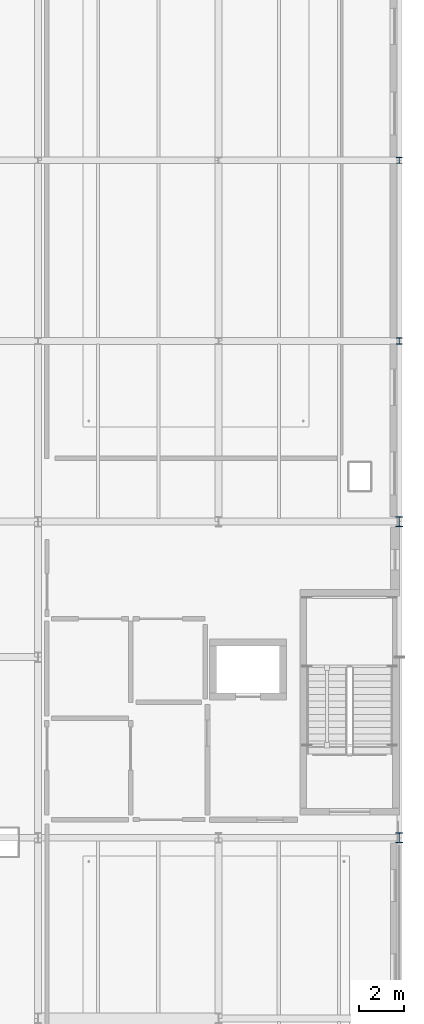
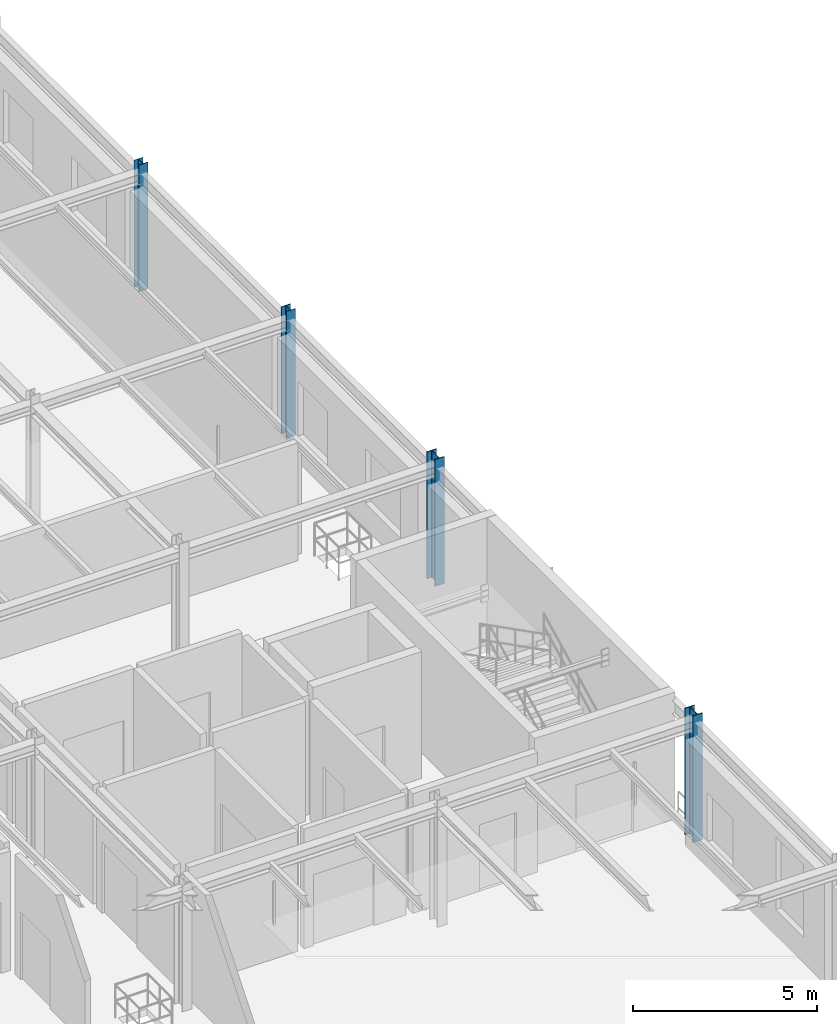
# One storey, part 16 of 124: 4 columns.
"""IFC4 building model written with IfcOpenShell, lengths in metres."""

import ifcopenshell
import ifcopenshell.guid

model = None  # the IFC model being written
_history = None  # IfcOwnerHistory: only IFC2X3 demands one
_inside = {}  # id of a spatial element -> (the spatial element, [elements in it])
_under = {}  # id of a project, library or spatial element -> (it, [spatial elements below it])
_declared = {}  # id of a project -> (the project, [libraries it declares])
_typed = {}  # id of a type object -> (the type object, [elements of that type])
_made_of = {}  # id of a material, layer set ... -> (it, [elements and type objects made of it])


def new_model(schema):
    """Start an empty IFC model of exactly this schema.

    Asked for "IFC4X3", IfcOpenShell would pick the latest addendum, in which some entities
    have other attributes; the version numbers below select the first issue.
    IFC2X3 requires an IfcOwnerHistory on every rooted entity: one is made here for all.
    """
    global model, _history
    if schema == "IFC4X3":
        model = ifcopenshell.file(schema_version=(4, 3, 0, 0))
    else:
        model = ifcopenshell.file(schema=schema)
    _inside.clear()
    _under.clear()
    _declared.clear()
    _typed.clear()
    _made_of.clear()
    _history = None
    if model.schema == "IFC2X3":
        org = make("IfcOrganization", Name="unknown")
        user = make(
            "IfcPersonAndOrganization",
            ThePerson=make("IfcPerson", FamilyName="unknown"),
            TheOrganization=org,
        )
        app = make(
            "IfcApplication",
            ApplicationDeveloper=org,
            Version="unknown",
            ApplicationFullName="unknown",
            ApplicationIdentifier="unknown",
        )
        _history = make(
            "IfcOwnerHistory",
            OwningUser=user,
            OwningApplication=app,
            ChangeAction="ADDED",
            CreationDate=0,
        )
    return model


def make(cls, **values):
    """One entity of the class cls with the attributes given. An attribute that is None is left unset."""
    return model.create_entity(
        cls, **{name: value for name, value in values.items() if value is not None}
    )


def rooted(cls, **values):
    """An entity with a GlobalId (a new one), such as an element, a storey or a relation."""
    return make(cls, GlobalId=ifcopenshell.guid.new(), OwnerHistory=_history, **values)


def si_unit(unit_type, name, prefix=None):
    """IfcSIUnit, for example si_unit("LENGTHUNIT", "METRE", prefix="MILLI")."""
    return make("IfcSIUnit", UnitType=unit_type, Prefix=prefix, Name=name)


def assignment(units):
    """IfcUnitAssignment: the units of a project."""
    return None if units is None else make("IfcUnitAssignment", Units=units)


def point(xyz):
    """IfcCartesianPoint."""
    return None if xyz is None else make("IfcCartesianPoint", Coordinates=xyz)


def direction(xyz):
    """IfcDirection."""
    return None if xyz is None else make("IfcDirection", DirectionRatios=xyz)


def frame(location, z_axis=None, x_axis=None):
    """IfcAxis2Placement3D, a coordinate frame: its origin and axes. An axis left out is left unset."""
    return make(
        "IfcAxis2Placement3D",
        Location=point(location),
        Axis=direction(z_axis),
        RefDirection=direction(x_axis),
    )


def frame_2d(location, x_axis=None):
    """IfcAxis2Placement2D, a coordinate frame in the plane: its origin and x axis."""
    return make(
        "IfcAxis2Placement2D", Location=point(location), RefDirection=direction(x_axis)
    )


def origin():
    """The frame at (0, 0, 0) with its axes left unset."""
    return frame((0.0, 0.0, 0.0))


def origin_2d():
    """The frame at (0, 0) in the plane with its x axis left unset."""
    return frame_2d((0.0, 0.0))


def place(relative_to, where):
    """IfcLocalPlacement: puts the frame where relative to a parent placement (None: the world)."""
    return make(
        "IfcLocalPlacement", PlacementRelTo=relative_to, RelativePlacement=where
    )


def context(
    kind, dimensions, precision=None, world=None, true_north=None, identifier=None
):
    """IfcGeometricRepresentationContext, for example the 3D "Model" context."""
    return make(
        "IfcGeometricRepresentationContext",
        ContextIdentifier=identifier,
        ContextType=kind,
        CoordinateSpaceDimension=dimensions,
        Precision=precision,
        WorldCoordinateSystem=world,
        TrueNorth=true_north,
    )


def subcontext(parent, identifier, kind, view, scale=None):
    """IfcGeometricRepresentationSubContext, for example "Body" below "Model"."""
    return make(
        "IfcGeometricRepresentationSubContext",
        ContextIdentifier=identifier,
        ContextType=kind,
        ParentContext=parent,
        TargetScale=scale,
        TargetView=view,
    )


def project(units=None, contexts=None):
    """IfcProject with its units and contexts."""
    return rooted(
        "IfcProject",
        Name="project",
        RepresentationContexts=contexts,
        UnitsInContext=assignment(units),
    )


def spatial(cls, under=None, at=None, **own):
    """A site, building, storey or space (cls), placed at a placement, below another one or the project."""
    s = rooted(cls, ObjectPlacement=at, **own)
    if under is not None:
        _under.setdefault(under.id(), (under, []))[1].append(s)
    return s


def profile(cls, at=None, kind="AREA", **sizes):
    """A parametric profile (cls). Its sizes go by their IFC names, for example OverallWidth=200.0."""
    return make(cls, ProfileType=kind, Position=at, **sizes)


def i_section(**sizes):
    """IfcIShapeProfileDef."""
    return profile("IfcIShapeProfileDef", **sizes)


def extrude(swept, where, along, depth):
    """IfcExtrudedAreaSolid: the profile swept, set in the frame where, extruded along a direction by depth."""
    return make(
        "IfcExtrudedAreaSolid",
        SweptArea=swept,
        Position=where,
        ExtrudedDirection=direction(along),
        Depth=depth,
    )


def shape(context_of_items, identifier, shape_type, items):
    """IfcShapeRepresentation: the items that make up one representation, for example the "Body"."""
    return make(
        "IfcShapeRepresentation",
        ContextOfItems=context_of_items,
        RepresentationIdentifier=identifier,
        RepresentationType=shape_type,
        Items=items,
    )


def material(Name=None, Category=None):
    """IfcMaterial."""
    return make("IfcMaterial", Name=Name, Category=Category)


def material_profile(
    of_material, cross_section, Name=None, Category=None, Priority=None
):
    """IfcMaterialProfile: a cross section and its material."""
    return make(
        "IfcMaterialProfile",
        Name=Name,
        Material=of_material,
        Profile=cross_section,
        Priority=Priority,
        Category=Category,
    )


def profile_set(profiles, Name=None, composite=None):
    """IfcMaterialProfileSet."""
    return make(
        "IfcMaterialProfileSet",
        Name=Name,
        MaterialProfiles=profiles,
        CompositeProfile=composite,
    )


def made_of(thing, what):
    """Note that an element or type object is made of a material, layer set ...; save() writes the relation."""
    if what is not None:
        _made_of.setdefault(what.id(), (what, []))[1].append(thing)
    return thing


def type_object(cls, material=None, **own):
    """A type object (cls), such as IfcWallType, which elements share."""
    return made_of(rooted(cls, **own), material)


def element(
    cls,
    number,
    at=None,
    inside=None,
    cuts=None,
    type_object=None,
    material=None,
    context=None,
    identifier="Body",
    shape_type=None,
    held_by="IfcProductDefinitionShape",
    body=None,
    shapes=None,
    **own,
):
    """One element of the class cls, such as IfcWall. Its Tag is "e" and its number.

    at: its placement. inside: the storey or other place that contains it. cuts: it is an
    opening in that element (IfcRelVoidsElement). A single representation is given by context,
    identifier, shape_type and body (its items); several are given by shapes. held_by: the class
    of the entity that holds the representations. save() writes the other relations.
    """
    e = rooted(cls, Tag="e%d" % number, ObjectPlacement=at, **own)
    if body is not None:
        shapes = [shape(context, identifier, shape_type, body)]
    if shapes is not None:
        e.Representation = make(held_by, Representations=shapes)
    if inside is not None:
        _inside.setdefault(inside.id(), (inside, []))[1].append(e)
    if cuts is not None:
        rooted(
            "IfcRelVoidsElement", RelatingBuildingElement=cuts, RelatedOpeningElement=e
        )
    if type_object is not None:
        _typed.setdefault(type_object.id(), (type_object, []))[1].append(e)
    return made_of(e, material)


def aggregate(whole, parts):
    """IfcRelAggregates: a whole, such as a stair, and the parts it consists of."""
    return rooted("IfcRelAggregates", RelatingObject=whole, RelatedObjects=parts)


def save(model, path):
    """Write the relations noted so far, then the file.

    IfcRelAggregates (storeys below a building ...), IfcRelContainedInSpatialStructure (elements
    in a storey), IfcRelDefinesByType, IfcRelAssociatesMaterial and IfcRelDeclares: one each for
    every whole, place, type object, material and project.
    """
    for whole, parts in _under.values():
        aggregate(whole, parts)
    for where, things in _inside.values():
        rooted(
            "IfcRelContainedInSpatialStructure",
            RelatedElements=things,
            RelatingStructure=where,
        )
    for kind, things in _typed.values():
        rooted("IfcRelDefinesByType", RelatedObjects=things, RelatingType=kind)
    for what, things in _made_of.values():
        rooted("IfcRelAssociatesMaterial", RelatedObjects=things, RelatingMaterial=what)
    for by, libraries in _declared.values():
        rooted("IfcRelDeclares", RelatingContext=by, RelatedDefinitions=libraries)
    model.write(path)


model = new_model("IFC4")

# Units and contexts
model_context = context("Model", 3, precision=1e-05, world=origin(), true_north=direction((0.0, 1.0)))
body_context = subcontext(model_context, "Body", "Model", "MODEL_VIEW")
ifc_project = project(units=[si_unit("LENGTHUNIT", "METRE"), si_unit("AREAUNIT", "SQUARE_METRE"), si_unit("VOLUMEUNIT", "CUBIC_METRE"), si_unit("PLANEANGLEUNIT", "RADIAN"), si_unit("MASSUNIT", "GRAM", prefix="KILO")], contexts=[model_context])

# Site, building, storey
site_placement = place(None, origin())
site = spatial("IfcSite", under=ifc_project, at=site_placement, CompositionType="ELEMENT")
building_placement = place(site_placement, origin())
building = spatial("IfcBuilding", under=site, at=building_placement, Name="Sundkrona Museum", CompositionType="ELEMENT")
storey_placement = place(building_placement, frame((0.0, 0.0, 17.60009765625)))
storey = spatial("IfcBuildingStorey", under=building, at=storey_placement, Name="L03", CompositionType="ELEMENT", Elevation=17.60009765625)

# Columns
ifc_material = material(Name="Steel S355J2", Category="steel")
ifc_material_profile_1 = material_profile(ifc_material, i_section(OverallWidth=0.280029296875, OverallDepth=0.280029296875, WebThickness=0.010498046875, FlangeThickness=0.01806640625, FilletRadius=0.02392578125, at=origin_2d()), Name="HEB 280")
ifc_profile_set_1 = profile_set([ifc_material_profile_1], Name="Steel S355J2")
column_type_1 = type_object("IfcColumnType", Name="C-HEB280", PredefinedType="COLUMN", material=ifc_profile_set_1)
for number, where, z_axis, x_axis, name in (
    (1, (168.0, 54.0, 0.0), (0.0, 0.0, 1.0), (1.0, 0.0, 0.0), "L03 Column H/22"),
    (2, (168.0, 62.0, 0.0), (0.0, 0.0, 1.0), (1.0, 0.0, 0.0), "L03 Column J/22"),
):
    element("IfcColumn", number, at=place(storey_placement, frame(where, z_axis=z_axis, x_axis=x_axis)), inside=storey, type_object=column_type_1, Name=name, PredefinedType="COLUMN", context=body_context, shape_type="SweptSolid", body=[
        extrude(i_section(OverallWidth=0.280029296875, OverallDepth=0.280029296875, WebThickness=0.010498046875, FlangeThickness=0.01806640625, FilletRadius=0.02392578125, at=origin_2d()), origin(), (0.0, 0.0, 1.0), 4.199951171875),
    ])
ifc_material_profile_2 = material_profile(ifc_material, i_section(OverallWidth=0.300048828125, OverallDepth=0.449951171875, WebThickness=0.013916015625, FlangeThickness=0.02587890625, FilletRadius=0.027099609375, at=origin_2d()), Name="HEB 450")
ifc_profile_set_2 = profile_set([ifc_material_profile_2], Name="Steel S355J2")
column_type_2 = type_object("IfcColumnType", Name="C-HEB450", PredefinedType="COLUMN", material=ifc_profile_set_2)
for number, where, z_axis, x_axis, name in (
    (3, (168.0, 32.0, 0.0), (0.0, 0.0, 1.0), (1.0, 0.0, 0.0), "L03 Column E/22"),
    (4, (168.0, 46.0, 0.0), (0.0, 0.0, 1.0), (1.0, 0.0, 0.0), "L03 Column G/22"),
):
    element("IfcColumn", number, at=place(storey_placement, frame(where, z_axis=z_axis, x_axis=x_axis)), inside=storey, type_object=column_type_2, Name=name, PredefinedType="COLUMN", context=body_context, shape_type="SweptSolid", body=[
        extrude(i_section(OverallWidth=0.300048828125, OverallDepth=0.449951171875, WebThickness=0.013916015625, FlangeThickness=0.02587890625, FilletRadius=0.027099609375, at=origin_2d()), origin(), (0.0, 0.0, 1.0), 4.199951171875),
    ])

save(model, "model.ifc")
